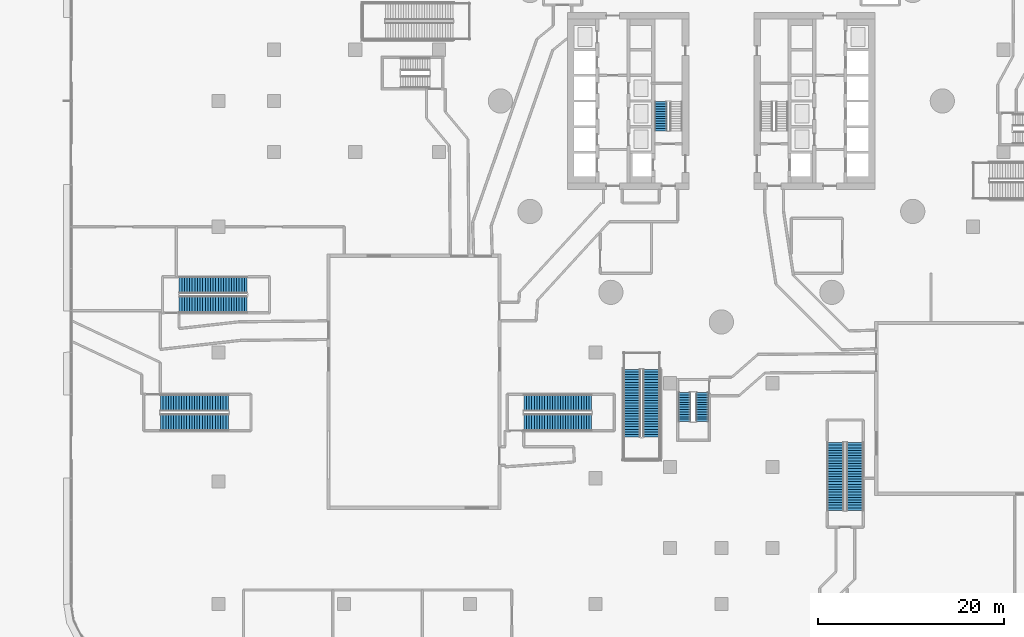
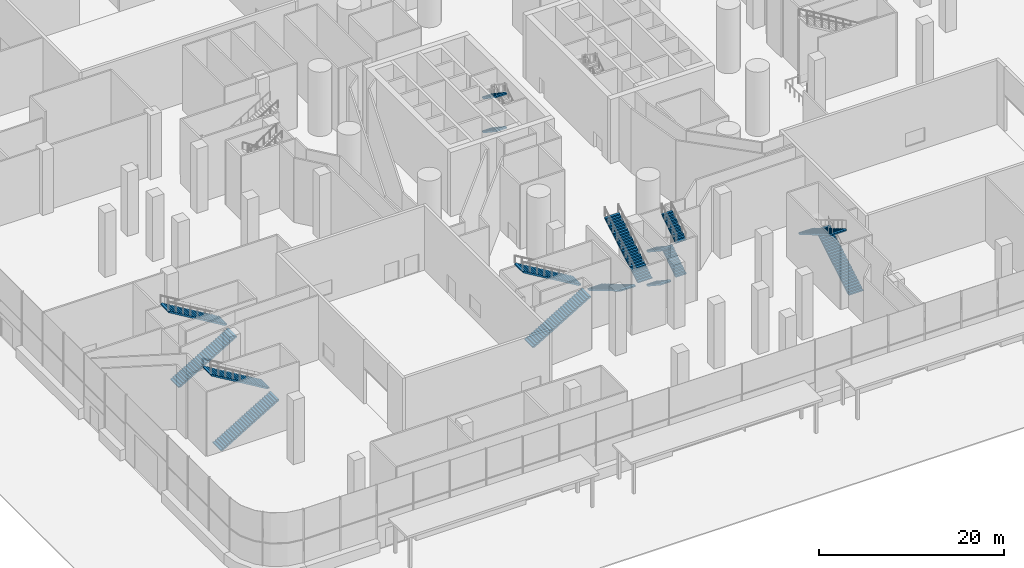
# One storey, part 34 of 54: 16 stair flights, 7 elements without a shape of their own.
"""IFC4 building model written with IfcOpenShell, lengths in metres."""

from ifc_helpers import new_model, si_unit, direction, frame, origin, place, context, subcontext, project, spatial, polyline, outline, extrude, material, type_object, element, aggregate, save


model = new_model("IFC4")

# Units and contexts
model_context = context("Model", 3, precision=1e-05, world=origin(), true_north=direction((0.0, 1.0)))
body_context = subcontext(model_context, "Body", "Model", "MODEL_VIEW")
ifc_project = project(units=[si_unit("LENGTHUNIT", "METRE"), si_unit("AREAUNIT", "SQUARE_METRE"), si_unit("VOLUMEUNIT", "CUBIC_METRE"), si_unit("PLANEANGLEUNIT", "RADIAN"), si_unit("MASSUNIT", "GRAM", prefix="KILO")], contexts=[model_context])

# Site, building, storey
site_placement = place(None, origin())
site = spatial("IfcSite", under=ifc_project, at=site_placement, CompositionType="ELEMENT")
building_placement = place(site_placement, origin())
building = spatial("IfcBuilding", under=site, at=building_placement, Name="Tamarind Cross Interchange Tower", CompositionType="ELEMENT")
storey_placement = place(building_placement, origin())
storey = spatial("IfcBuildingStorey", under=building, at=storey_placement, Name="L00", CompositionType="ELEMENT", Elevation=0.0)

# Stair, stair flights
ifc_material_1 = material(Name="Exit stair")
stair_type_1 = type_object("IfcStairType", Name="Exit stair", PredefinedType="HALF_TURN_STAIR", material=ifc_material_1)
stair_1_placement = place(storey_placement, origin())
stair_1 = element("IfcStair", 1, at=stair_1_placement, inside=storey, type_object=stair_type_1, Name="L00 exit stair ST1", PredefinedType="HALF_TURN_STAIR")
ifc_material_2 = material(Name="Exit stair flight")
stair_flight_type_1 = type_object("IfcStairFlightType", Name="Exit stair flight", PredefinedType="STRAIGHT", material=ifc_material_2)
stair_flight_1_placement = place(storey_placement, frame((-6.5, -0.080078125, 2.25), z_axis=(0.0, 0.0, 1.0), x_axis=(0.0, -1.0, 0.0)))
stair_flight_1 = element("IfcStairFlight", 2, at=stair_flight_1_placement, type_object=stair_flight_type_1, Name="ST1 flight 2", NumberOfRisers=13, NumberOfTreads=12, PredefinedType="STRAIGHT", RiserHeight=0.173076923, TreadLength=0.26, context=body_context, shape_type="SweptSolid", body=[
    extrude(outline(polyline([(0.0, 0.0), (0.0, 0.173095703125), (0.260009765625, 0.173095703125), (0.260009765625, 0.34619140625), (0.52001953125, 0.34619140625), (0.52001953125, 0.519287109375), (0.780029296875, 0.519287109375), (0.780029296875, 0.6923828125), (1.0400390625, 0.6923828125), (1.0400390625, 0.865478515625), (1.300048828125, 0.865478515625), (1.300048828125, 1.03857421875), (1.56005859375, 1.03857421875), (1.56005859375, 1.21142578125), (1.820068359375, 1.21142578125), (1.820068359375, 1.384521484375), (2.080078125, 1.384521484375), (2.080078125, 1.5576171875), (2.340087890625, 1.5576171875), (2.340087890625, 1.730712890625), (2.60009765625, 1.730712890625), (2.60009765625, 1.90380859375), (2.860107421875, 1.90380859375), (2.860107421875, 2.076904296875), (3.1201171875, 2.076904296875), (3.1201171875, 2.25), (3.1201171875, 1.896728515625), (0.2705078125, 0.0), (0.0, 0.0)])), frame((0.0, 0.64990234375, 0.0), z_axis=(0.0, -1.0, 0.0), x_axis=(1.0, 0.0, 0.0)), (0.0, 0.0, 1.0), 1.300048828125),
])
stair_flight_2_placement = place(storey_placement, frame((-6.5, -0.080078125, 6.75), z_axis=(0.0, 0.0, 1.0), x_axis=(0.0, -1.0, 0.0)))
stair_flight_2 = element("IfcStairFlight", 3, at=stair_flight_2_placement, type_object=stair_flight_type_1, Name="ST1 flight 4", NumberOfRisers=13, NumberOfTreads=12, PredefinedType="STRAIGHT", RiserHeight=0.173076923, TreadLength=0.26, context=body_context, shape_type="SweptSolid", body=[
    extrude(outline(polyline([(0.0, 0.0), (0.0, 0.173095703125), (0.260009765625, 0.173095703125), (0.260009765625, 0.34619140625), (0.52001953125, 0.34619140625), (0.52001953125, 0.519287109375), (0.780029296875, 0.519287109375), (0.780029296875, 0.6923828125), (1.0400390625, 0.6923828125), (1.0400390625, 0.865478515625), (1.300048828125, 0.865478515625), (1.300048828125, 1.03857421875), (1.56005859375, 1.03857421875), (1.56005859375, 1.21142578125), (1.820068359375, 1.21142578125), (1.820068359375, 1.384521484375), (2.080078125, 1.384521484375), (2.080078125, 1.5576171875), (2.340087890625, 1.5576171875), (2.340087890625, 1.730712890625), (2.60009765625, 1.730712890625), (2.60009765625, 1.90380859375), (2.860107421875, 1.90380859375), (2.860107421875, 2.076904296875), (3.1201171875, 2.076904296875), (3.1201171875, 2.25), (3.1201171875, 1.896728515625), (0.2705078125, 0.0), (0.0, 0.0)])), frame((0.0, 0.64990234375, 0.0), z_axis=(0.0, -1.0, 0.0), x_axis=(1.0, 0.0, 0.0)), (0.0, 0.0, 1.0), 1.300048828125),
])
aggregate(stair_1, [stair_flight_1, stair_flight_2])

stair_2_placement = place(storey_placement, origin())
stair_2 = element("IfcStair", 4, at=stair_2_placement, inside=storey, type_object=stair_type_1, Name="L00 exit stair ST6", PredefinedType="HALF_TURN_STAIR")
stair_flight_3_placement = place(storey_placement, frame((-3.949951171875, -31.300048828125, 0.0), z_axis=(0.0, 0.0, 1.0), x_axis=(0.0, -1.0, 0.0)))
stair_flight_3 = element("IfcStairFlight", 5, at=stair_flight_3_placement, type_object=stair_flight_type_1, Name="ST6 flight 1", NumberOfRisers=13, NumberOfTreads=12, PredefinedType="STRAIGHT", RiserHeight=0.173076923, TreadLength=0.26, context=body_context, shape_type="SweptSolid", body=[
    extrude(outline(polyline([(0.0, 0.0), (0.0, 0.173095703125), (0.260009765625, 0.173095703125), (0.260009765625, 0.34619140625), (0.52001953125, 0.34619140625), (0.52001953125, 0.519287109375), (0.780029296875, 0.519287109375), (0.780029296875, 0.6923828125), (1.0400390625, 0.6923828125), (1.0400390625, 0.865478515625), (1.300048828125, 0.865478515625), (1.300048828125, 1.03857421875), (1.56005859375, 1.03857421875), (1.56005859375, 1.21142578125), (1.820068359375, 1.21142578125), (1.820068359375, 1.384521484375), (2.080078125, 1.384521484375), (2.080078125, 1.5576171875), (2.340087890625, 1.5576171875), (2.340087890625, 1.730712890625), (2.60009765625, 1.730712890625), (2.60009765625, 1.90380859375), (2.860107421875, 1.90380859375), (2.860107421875, 2.076904296875), (3.1201171875, 2.076904296875), (3.1201171875, 2.25), (3.1201171875, 1.896728515625), (0.2705078125, 0.0), (0.0, 0.0)])), frame((0.0, 0.64990234375, 0.0), z_axis=(0.0, -1.0, 0.0), x_axis=(1.0, 0.0, 0.0)), (0.0, 0.0, 1.0), 1.300048828125),
])
stair_flight_4_placement = place(storey_placement, frame((-2.050048828125, -34.419921875, 2.25), z_axis=(0.0, 0.0, 1.0), x_axis=(0.0, 1.0, 0.0)))
stair_flight_4 = element("IfcStairFlight", 6, at=stair_flight_4_placement, type_object=stair_flight_type_1, Name="ST6 flight 2", NumberOfRisers=13, NumberOfTreads=12, PredefinedType="STRAIGHT", RiserHeight=0.173076923, TreadLength=0.26, context=body_context, shape_type="SweptSolid", body=[
    extrude(outline(polyline([(0.0, 0.0), (0.0, 0.173095703125), (0.260009765625, 0.173095703125), (0.260009765625, 0.34619140625), (0.52001953125, 0.34619140625), (0.52001953125, 0.519287109375), (0.780029296875, 0.519287109375), (0.780029296875, 0.6923828125), (1.0400390625, 0.6923828125), (1.0400390625, 0.865478515625), (1.300048828125, 0.865478515625), (1.300048828125, 1.03857421875), (1.56005859375, 1.03857421875), (1.56005859375, 1.21142578125), (1.820068359375, 1.21142578125), (1.820068359375, 1.384521484375), (2.080078125, 1.384521484375), (2.080078125, 1.5576171875), (2.340087890625, 1.5576171875), (2.340087890625, 1.730712890625), (2.60009765625, 1.730712890625), (2.60009765625, 1.90380859375), (2.860107421875, 1.90380859375), (2.860107421875, 2.076904296875), (3.1201171875, 2.076904296875), (3.1201171875, 2.25), (3.1201171875, 1.896728515625), (0.2705078125, 0.0), (0.0, 0.0)])), frame((0.0, 0.64990234375, 0.0), z_axis=(0.0, -1.0, 0.0), x_axis=(1.0, 0.0, 0.0)), (0.0, 0.0, 1.0), 1.300048828125),
])
stair_flight_5_placement = place(storey_placement, frame((-3.949951171875, -31.300048828125, 4.5), z_axis=(0.0, 0.0, 1.0), x_axis=(0.0, -1.0, 0.0)))
stair_flight_5 = element("IfcStairFlight", 7, at=stair_flight_5_placement, type_object=stair_flight_type_1, Name="ST6 flight 3", NumberOfRisers=13, NumberOfTreads=12, PredefinedType="STRAIGHT", RiserHeight=0.173076923, TreadLength=0.26, context=body_context, shape_type="SweptSolid", body=[
    extrude(outline(polyline([(0.0, 0.0), (0.0, 0.173095703125), (0.260009765625, 0.173095703125), (0.260009765625, 0.34619140625), (0.52001953125, 0.34619140625), (0.52001953125, 0.519287109375), (0.780029296875, 0.519287109375), (0.780029296875, 0.6923828125), (1.0400390625, 0.6923828125), (1.0400390625, 0.865478515625), (1.300048828125, 0.865478515625), (1.300048828125, 1.03857421875), (1.56005859375, 1.03857421875), (1.56005859375, 1.21142578125), (1.820068359375, 1.21142578125), (1.820068359375, 1.384521484375), (2.080078125, 1.384521484375), (2.080078125, 1.5576171875), (2.340087890625, 1.5576171875), (2.340087890625, 1.730712890625), (2.60009765625, 1.730712890625), (2.60009765625, 1.90380859375), (2.860107421875, 1.90380859375), (2.860107421875, 2.076904296875), (3.1201171875, 2.076904296875), (3.1201171875, 2.25), (3.1201171875, 1.896728515625), (0.2705078125, 0.0), (0.0, 0.0)])), frame((0.0, 0.64990234375, 0.0), z_axis=(0.0, -1.0, 0.0), x_axis=(1.0, 0.0, 0.0)), (0.0, 0.0, 1.0), 1.300048828125),
])
stair_flight_6_placement = place(storey_placement, frame((-2.050048828125, -34.419921875, 6.75), z_axis=(0.0, 0.0, 1.0), x_axis=(0.0, 1.0, 0.0)))
stair_flight_6 = element("IfcStairFlight", 8, at=stair_flight_6_placement, type_object=stair_flight_type_1, Name="ST6 flight 4", NumberOfRisers=13, NumberOfTreads=12, PredefinedType="STRAIGHT", RiserHeight=0.173076923, TreadLength=0.26, context=body_context, shape_type="SweptSolid", body=[
    extrude(outline(polyline([(0.0, 0.0), (0.0, 0.173095703125), (0.260009765625, 0.173095703125), (0.260009765625, 0.34619140625), (0.52001953125, 0.34619140625), (0.52001953125, 0.519287109375), (0.780029296875, 0.519287109375), (0.780029296875, 0.6923828125), (1.0400390625, 0.6923828125), (1.0400390625, 0.865478515625), (1.300048828125, 0.865478515625), (1.300048828125, 1.03857421875), (1.56005859375, 1.03857421875), (1.56005859375, 1.21142578125), (1.820068359375, 1.21142578125), (1.820068359375, 1.384521484375), (2.080078125, 1.384521484375), (2.080078125, 1.5576171875), (2.340087890625, 1.5576171875), (2.340087890625, 1.730712890625), (2.60009765625, 1.730712890625), (2.60009765625, 1.90380859375), (2.860107421875, 1.90380859375), (2.860107421875, 2.076904296875), (3.1201171875, 2.076904296875), (3.1201171875, 2.25), (3.1201171875, 1.896728515625), (0.2705078125, 0.0), (0.0, 0.0)])), frame((0.0, 0.64990234375, 0.0), z_axis=(0.0, -1.0, 0.0), x_axis=(1.0, 0.0, 0.0)), (0.0, 0.0, 1.0), 1.300048828125),
])
aggregate(stair_2, [stair_flight_3, stair_flight_4, stair_flight_5, stair_flight_6])

ifc_material_3 = material(Name="Public stair")
stair_type_2 = type_object("IfcStairType", Name="Public stair", PredefinedType="HALF_TURN_STAIR", material=ifc_material_3)
stair_3_placement = place(storey_placement, origin())
stair_3 = element("IfcStair", 9, at=stair_3_placement, inside=storey, type_object=stair_type_2, Name="L00 public stair PS-S", PredefinedType="HALF_TURN_STAIR")
ifc_material_4 = material(Name="Public stair flight")
stair_flight_type_2 = type_object("IfcStairFlightType", Name="Public stair flight", PredefinedType="STRAIGHT", material=ifc_material_4)
stair_flight_7_placement = place(storey_placement, frame((-9.60009765625, -28.800048828125, 0.0), z_axis=(0.0, 0.0, 1.0), x_axis=(0.0, -1.0, 0.0)))
stair_flight_7 = element("IfcStairFlight", 10, at=stair_flight_7_placement, type_object=stair_flight_type_2, Name="PS-S flight 1", NumberOfRisers=27, NumberOfTreads=26, PredefinedType="STRAIGHT", RiserHeight=0.166666667, TreadLength=0.28, context=body_context, shape_type="SweptSolid", body=[
    extrude(outline(polyline([(0.0, 0.0), (0.0, 0.166748046875), (0.280029296875, 0.166748046875), (0.280029296875, 0.333251953125), (0.56005859375, 0.333251953125), (0.56005859375, 0.5), (0.840087890625, 0.5), (0.840087890625, 0.666748046875), (1.1201171875, 0.666748046875), (1.1201171875, 0.833251953125), (1.39990234375, 0.833251953125), (1.39990234375, 1.0), (1.679931640625, 1.0), (1.679931640625, 1.166748046875), (1.9599609375, 1.166748046875), (1.9599609375, 1.333251953125), (2.239990234375, 1.333251953125), (2.239990234375, 1.5), (2.52001953125, 1.5), (2.52001953125, 1.666748046875), (2.800048828125, 1.666748046875), (2.800048828125, 1.833251953125), (3.080078125, 1.833251953125), (3.080078125, 2.0), (3.360107421875, 2.0), (3.360107421875, 2.166748046875), (3.639892578125, 2.166748046875), (3.639892578125, 2.333251953125), (3.919921875, 2.333251953125), (3.919921875, 2.5), (4.199951171875, 2.5), (4.199951171875, 2.666748046875), (4.47998046875, 2.666748046875), (4.47998046875, 2.833251953125), (4.760009765625, 2.833251953125), (4.760009765625, 3.0), (5.0400390625, 3.0), (5.0400390625, 3.166748046875), (5.320068359375, 3.166748046875), (5.320068359375, 3.333251953125), (5.60009765625, 3.333251953125), (5.60009765625, 3.5), (5.8798828125, 3.5), (5.8798828125, 3.666748046875), (6.159912109375, 3.666748046875), (6.159912109375, 3.833251953125), (6.43994140625, 3.833251953125), (6.43994140625, 4.0), (6.719970703125, 4.0), (6.719970703125, 4.166748046875), (7.0, 4.166748046875), (7.0, 4.333251953125), (7.280029296875, 4.333251953125), (7.280029296875, 4.5), (7.280029296875, 4.158935546875), (0.29296875, 0.0), (0.0, 0.0)])), frame((0.0, 0.89990234375, 0.0), z_axis=(0.0, -1.0, 0.0), x_axis=(1.0, 0.0, 0.0)), (0.0, 0.0, 1.0), 1.800048828125),
])
stair_flight_8_placement = place(storey_placement, frame((-7.5, -36.080078125, 4.5), z_axis=(0.0, 0.0, 1.0), x_axis=(0.0, 1.0, 0.0)))
stair_flight_8 = element("IfcStairFlight", 11, at=stair_flight_8_placement, type_object=stair_flight_type_2, Name="PS-S flight 2", NumberOfRisers=27, NumberOfTreads=26, PredefinedType="STRAIGHT", RiserHeight=0.166666667, TreadLength=0.28, context=body_context, shape_type="SweptSolid", body=[
    extrude(outline(polyline([(0.0, 0.0), (0.0, 0.166748046875), (0.280029296875, 0.166748046875), (0.280029296875, 0.333251953125), (0.56005859375, 0.333251953125), (0.56005859375, 0.5), (0.840087890625, 0.5), (0.840087890625, 0.666748046875), (1.1201171875, 0.666748046875), (1.1201171875, 0.833251953125), (1.39990234375, 0.833251953125), (1.39990234375, 1.0), (1.679931640625, 1.0), (1.679931640625, 1.166748046875), (1.9599609375, 1.166748046875), (1.9599609375, 1.333251953125), (2.239990234375, 1.333251953125), (2.239990234375, 1.5), (2.52001953125, 1.5), (2.52001953125, 1.666748046875), (2.800048828125, 1.666748046875), (2.800048828125, 1.833251953125), (3.080078125, 1.833251953125), (3.080078125, 2.0), (3.360107421875, 2.0), (3.360107421875, 2.166748046875), (3.639892578125, 2.166748046875), (3.639892578125, 2.333251953125), (3.919921875, 2.333251953125), (3.919921875, 2.5), (4.199951171875, 2.5), (4.199951171875, 2.666748046875), (4.47998046875, 2.666748046875), (4.47998046875, 2.833251953125), (4.760009765625, 2.833251953125), (4.760009765625, 3.0), (5.0400390625, 3.0), (5.0400390625, 3.166748046875), (5.320068359375, 3.166748046875), (5.320068359375, 3.333251953125), (5.60009765625, 3.333251953125), (5.60009765625, 3.5), (5.8798828125, 3.5), (5.8798828125, 3.666748046875), (6.159912109375, 3.666748046875), (6.159912109375, 3.833251953125), (6.43994140625, 3.833251953125), (6.43994140625, 4.0), (6.719970703125, 4.0), (6.719970703125, 4.166748046875), (7.0, 4.166748046875), (7.0, 4.333251953125), (7.280029296875, 4.333251953125), (7.280029296875, 4.5), (7.280029296875, 4.158935546875), (0.29296875, 0.0), (0.0, 0.0)])), frame((0.0, 0.89990234375, 0.0), z_axis=(0.0, -1.0, 0.0), x_axis=(1.0, 0.0, 0.0)), (0.0, 0.0, 1.0), 1.800048828125),
])
aggregate(stair_3, [stair_flight_7, stair_flight_8])

stair_4_placement = place(storey_placement, origin())
stair_4 = element("IfcStair", 12, at=stair_4_placement, inside=storey, type_object=stair_type_2, Name="L00 exit stair XS-P07", PredefinedType="HALF_TURN_STAIR")
stair_flight_9_placement = place(storey_placement, frame((-60.199951171875, -34.5, 0.0), z_axis=(0.0, 0.0, 1.0), x_axis=(1.0, 0.0, 0.0)))
stair_flight_9 = element("IfcStairFlight", 13, at=stair_flight_9_placement, type_object=stair_flight_type_2, Name="XS-P07 flight 1", NumberOfRisers=27, NumberOfTreads=26, PredefinedType="STRAIGHT", RiserHeight=0.166666667, TreadLength=0.28, context=body_context, shape_type="SweptSolid", body=[
    extrude(outline(polyline([(0.0, 0.0), (0.0, 0.166748046875), (0.280029296875, 0.166748046875), (0.280029296875, 0.333251953125), (0.56005859375, 0.333251953125), (0.56005859375, 0.5), (0.840087890625, 0.5), (0.840087890625, 0.666748046875), (1.1201171875, 0.666748046875), (1.1201171875, 0.833251953125), (1.39990234375, 0.833251953125), (1.39990234375, 1.0), (1.679931640625, 1.0), (1.679931640625, 1.166748046875), (1.9599609375, 1.166748046875), (1.9599609375, 1.333251953125), (2.239990234375, 1.333251953125), (2.239990234375, 1.5), (2.52001953125, 1.5), (2.52001953125, 1.666748046875), (2.800048828125, 1.666748046875), (2.800048828125, 1.833251953125), (3.080078125, 1.833251953125), (3.080078125, 2.0), (3.360107421875, 2.0), (3.360107421875, 2.166748046875), (3.639892578125, 2.166748046875), (3.639892578125, 2.333251953125), (3.919921875, 2.333251953125), (3.919921875, 2.5), (4.199951171875, 2.5), (4.199951171875, 2.666748046875), (4.47998046875, 2.666748046875), (4.47998046875, 2.833251953125), (4.760009765625, 2.833251953125), (4.760009765625, 3.0), (5.0400390625, 3.0), (5.0400390625, 3.166748046875), (5.320068359375, 3.166748046875), (5.320068359375, 3.333251953125), (5.60009765625, 3.333251953125), (5.60009765625, 3.5), (5.8798828125, 3.5), (5.8798828125, 3.666748046875), (6.159912109375, 3.666748046875), (6.159912109375, 3.833251953125), (6.43994140625, 3.833251953125), (6.43994140625, 4.0), (6.719970703125, 4.0), (6.719970703125, 4.166748046875), (7.0, 4.166748046875), (7.0, 4.333251953125), (7.280029296875, 4.333251953125), (7.280029296875, 4.5), (7.280029296875, 4.158935546875), (0.29296875, 0.0), (0.0, 0.0)])), frame((0.0, 0.89990234375, 0.0), z_axis=(0.0, -1.0, 0.0), x_axis=(1.0, 0.0, 0.0)), (0.0, 0.0, 1.0), 1.800048828125),
])
stair_flight_10_placement = place(storey_placement, frame((-52.919921875, -32.39990234375, 4.5), z_axis=(0.0, 0.0, 1.0), x_axis=(-1.0, 0.0, 0.0)))
stair_flight_10 = element("IfcStairFlight", 14, at=stair_flight_10_placement, type_object=stair_flight_type_2, Name="XS-P07 flight 2", NumberOfRisers=27, NumberOfTreads=26, PredefinedType="STRAIGHT", RiserHeight=0.166666667, TreadLength=0.28, context=body_context, shape_type="SweptSolid", body=[
    extrude(outline(polyline([(0.0, 0.0), (0.0, 0.166748046875), (0.280029296875, 0.166748046875), (0.280029296875, 0.333251953125), (0.56005859375, 0.333251953125), (0.56005859375, 0.5), (0.840087890625, 0.5), (0.840087890625, 0.666748046875), (1.1201171875, 0.666748046875), (1.1201171875, 0.833251953125), (1.39990234375, 0.833251953125), (1.39990234375, 1.0), (1.679931640625, 1.0), (1.679931640625, 1.166748046875), (1.9599609375, 1.166748046875), (1.9599609375, 1.333251953125), (2.239990234375, 1.333251953125), (2.239990234375, 1.5), (2.52001953125, 1.5), (2.52001953125, 1.666748046875), (2.800048828125, 1.666748046875), (2.800048828125, 1.833251953125), (3.080078125, 1.833251953125), (3.080078125, 2.0), (3.360107421875, 2.0), (3.360107421875, 2.166748046875), (3.639892578125, 2.166748046875), (3.639892578125, 2.333251953125), (3.919921875, 2.333251953125), (3.919921875, 2.5), (4.199951171875, 2.5), (4.199951171875, 2.666748046875), (4.47998046875, 2.666748046875), (4.47998046875, 2.833251953125), (4.760009765625, 2.833251953125), (4.760009765625, 3.0), (5.0400390625, 3.0), (5.0400390625, 3.166748046875), (5.320068359375, 3.166748046875), (5.320068359375, 3.333251953125), (5.60009765625, 3.333251953125), (5.60009765625, 3.5), (5.8798828125, 3.5), (5.8798828125, 3.666748046875), (6.159912109375, 3.666748046875), (6.159912109375, 3.833251953125), (6.43994140625, 3.833251953125), (6.43994140625, 4.0), (6.719970703125, 4.0), (6.719970703125, 4.166748046875), (7.0, 4.166748046875), (7.0, 4.333251953125), (7.280029296875, 4.333251953125), (7.280029296875, 4.5), (7.280029296875, 4.158935546875), (0.29296875, 0.0), (0.0, 0.0)])), frame((0.0, 0.89990234375, 0.0), z_axis=(0.0, -1.0, 0.0), x_axis=(1.0, 0.0, 0.0)), (0.0, 0.0, 1.0), 1.800048828125),
])
aggregate(stair_4, [stair_flight_9, stair_flight_10])

stair_5_placement = place(storey_placement, origin())
stair_5 = element("IfcStair", 15, at=stair_5_placement, inside=storey, type_object=stair_type_2, Name="L00 exit stair XS-P08", PredefinedType="HALF_TURN_STAIR")
stair_flight_11_placement = place(storey_placement, frame((-58.199951171875, -21.85009765625, 0.0), z_axis=(0.0, 0.0, 1.0), x_axis=(1.0, 0.0, 0.0)))
stair_flight_11 = element("IfcStairFlight", 16, at=stair_flight_11_placement, type_object=stair_flight_type_2, Name="XS-P08 flight 1", NumberOfRisers=27, NumberOfTreads=26, PredefinedType="STRAIGHT", RiserHeight=0.166666667, TreadLength=0.28, context=body_context, shape_type="SweptSolid", body=[
    extrude(outline(polyline([(0.0, 0.0), (0.0, 0.166748046875), (0.280029296875, 0.166748046875), (0.280029296875, 0.333251953125), (0.56005859375, 0.333251953125), (0.56005859375, 0.5), (0.840087890625, 0.5), (0.840087890625, 0.666748046875), (1.1201171875, 0.666748046875), (1.1201171875, 0.833251953125), (1.39990234375, 0.833251953125), (1.39990234375, 1.0), (1.679931640625, 1.0), (1.679931640625, 1.166748046875), (1.9599609375, 1.166748046875), (1.9599609375, 1.333251953125), (2.239990234375, 1.333251953125), (2.239990234375, 1.5), (2.52001953125, 1.5), (2.52001953125, 1.666748046875), (2.800048828125, 1.666748046875), (2.800048828125, 1.833251953125), (3.080078125, 1.833251953125), (3.080078125, 2.0), (3.360107421875, 2.0), (3.360107421875, 2.166748046875), (3.639892578125, 2.166748046875), (3.639892578125, 2.333251953125), (3.919921875, 2.333251953125), (3.919921875, 2.5), (4.199951171875, 2.5), (4.199951171875, 2.666748046875), (4.47998046875, 2.666748046875), (4.47998046875, 2.833251953125), (4.760009765625, 2.833251953125), (4.760009765625, 3.0), (5.0400390625, 3.0), (5.0400390625, 3.166748046875), (5.320068359375, 3.166748046875), (5.320068359375, 3.333251953125), (5.60009765625, 3.333251953125), (5.60009765625, 3.5), (5.8798828125, 3.5), (5.8798828125, 3.666748046875), (6.159912109375, 3.666748046875), (6.159912109375, 3.833251953125), (6.43994140625, 3.833251953125), (6.43994140625, 4.0), (6.719970703125, 4.0), (6.719970703125, 4.166748046875), (7.0, 4.166748046875), (7.0, 4.333251953125), (7.280029296875, 4.333251953125), (7.280029296875, 4.5), (7.280029296875, 4.158935546875), (0.29296875, 0.0), (0.0, 0.0)])), frame((0.0, 0.89990234375, 0.0), z_axis=(0.0, -1.0, 0.0), x_axis=(1.0, 0.0, 0.0)), (0.0, 0.0, 1.0), 1.800048828125),
])
stair_flight_12_placement = place(storey_placement, frame((-50.919921875, -19.75, 4.5), z_axis=(0.0, 0.0, 1.0), x_axis=(-1.0, 0.0, 0.0)))
stair_flight_12 = element("IfcStairFlight", 17, at=stair_flight_12_placement, type_object=stair_flight_type_2, Name="XS-P08 flight 2", NumberOfRisers=27, NumberOfTreads=26, PredefinedType="STRAIGHT", RiserHeight=0.166666667, TreadLength=0.28, context=body_context, shape_type="SweptSolid", body=[
    extrude(outline(polyline([(0.0, 0.0), (0.0, 0.166748046875), (0.280029296875, 0.166748046875), (0.280029296875, 0.333251953125), (0.56005859375, 0.333251953125), (0.56005859375, 0.5), (0.840087890625, 0.5), (0.840087890625, 0.666748046875), (1.1201171875, 0.666748046875), (1.1201171875, 0.833251953125), (1.39990234375, 0.833251953125), (1.39990234375, 1.0), (1.679931640625, 1.0), (1.679931640625, 1.166748046875), (1.9599609375, 1.166748046875), (1.9599609375, 1.333251953125), (2.239990234375, 1.333251953125), (2.239990234375, 1.5), (2.52001953125, 1.5), (2.52001953125, 1.666748046875), (2.800048828125, 1.666748046875), (2.800048828125, 1.833251953125), (3.080078125, 1.833251953125), (3.080078125, 2.0), (3.360107421875, 2.0), (3.360107421875, 2.166748046875), (3.639892578125, 2.166748046875), (3.639892578125, 2.333251953125), (3.919921875, 2.333251953125), (3.919921875, 2.5), (4.199951171875, 2.5), (4.199951171875, 2.666748046875), (4.47998046875, 2.666748046875), (4.47998046875, 2.833251953125), (4.760009765625, 2.833251953125), (4.760009765625, 3.0), (5.0400390625, 3.0), (5.0400390625, 3.166748046875), (5.320068359375, 3.166748046875), (5.320068359375, 3.333251953125), (5.60009765625, 3.333251953125), (5.60009765625, 3.5), (5.8798828125, 3.5), (5.8798828125, 3.666748046875), (6.159912109375, 3.666748046875), (6.159912109375, 3.833251953125), (6.43994140625, 3.833251953125), (6.43994140625, 4.0), (6.719970703125, 4.0), (6.719970703125, 4.166748046875), (7.0, 4.166748046875), (7.0, 4.333251953125), (7.280029296875, 4.333251953125), (7.280029296875, 4.5), (7.280029296875, 4.158935546875), (0.29296875, 0.0), (0.0, 0.0)])), frame((0.0, 0.89990234375, 0.0), z_axis=(0.0, -1.0, 0.0), x_axis=(1.0, 0.0, 0.0)), (0.0, 0.0, 1.0), 1.800048828125),
])
aggregate(stair_5, [stair_flight_11, stair_flight_12])

stair_6_placement = place(storey_placement, origin())
stair_6 = element("IfcStair", 18, at=stair_6_placement, inside=storey, type_object=stair_type_2, Name="L00 exit stair XS-P09", PredefinedType="HALF_TURN_STAIR")
stair_flight_13_placement = place(storey_placement, frame((-21.199951171875, -34.5, 0.0), z_axis=(0.0, 0.0, 1.0), x_axis=(1.0, 0.0, 0.0)))
stair_flight_13 = element("IfcStairFlight", 19, at=stair_flight_13_placement, type_object=stair_flight_type_2, Name="XS-P09 flight 1", NumberOfRisers=27, NumberOfTreads=26, PredefinedType="STRAIGHT", RiserHeight=0.166666667, TreadLength=0.28, context=body_context, shape_type="SweptSolid", body=[
    extrude(outline(polyline([(0.0, 0.0), (0.0, 0.166748046875), (0.280029296875, 0.166748046875), (0.280029296875, 0.333251953125), (0.56005859375, 0.333251953125), (0.56005859375, 0.5), (0.840087890625, 0.5), (0.840087890625, 0.666748046875), (1.1201171875, 0.666748046875), (1.1201171875, 0.833251953125), (1.39990234375, 0.833251953125), (1.39990234375, 1.0), (1.679931640625, 1.0), (1.679931640625, 1.166748046875), (1.9599609375, 1.166748046875), (1.9599609375, 1.333251953125), (2.239990234375, 1.333251953125), (2.239990234375, 1.5), (2.52001953125, 1.5), (2.52001953125, 1.666748046875), (2.800048828125, 1.666748046875), (2.800048828125, 1.833251953125), (3.080078125, 1.833251953125), (3.080078125, 2.0), (3.360107421875, 2.0), (3.360107421875, 2.166748046875), (3.639892578125, 2.166748046875), (3.639892578125, 2.333251953125), (3.919921875, 2.333251953125), (3.919921875, 2.5), (4.199951171875, 2.5), (4.199951171875, 2.666748046875), (4.47998046875, 2.666748046875), (4.47998046875, 2.833251953125), (4.760009765625, 2.833251953125), (4.760009765625, 3.0), (5.0400390625, 3.0), (5.0400390625, 3.166748046875), (5.320068359375, 3.166748046875), (5.320068359375, 3.333251953125), (5.60009765625, 3.333251953125), (5.60009765625, 3.5), (5.8798828125, 3.5), (5.8798828125, 3.666748046875), (6.159912109375, 3.666748046875), (6.159912109375, 3.833251953125), (6.43994140625, 3.833251953125), (6.43994140625, 4.0), (6.719970703125, 4.0), (6.719970703125, 4.166748046875), (7.0, 4.166748046875), (7.0, 4.333251953125), (7.280029296875, 4.333251953125), (7.280029296875, 4.5), (7.280029296875, 4.158935546875), (0.29296875, 0.0), (0.0, 0.0)])), frame((0.0, 0.89990234375, 0.0), z_axis=(0.0, -1.0, 0.0), x_axis=(1.0, 0.0, 0.0)), (0.0, 0.0, 1.0), 1.800048828125),
])
stair_flight_14_placement = place(storey_placement, frame((-13.919921875, -32.39990234375, 4.5), z_axis=(0.0, 0.0, 1.0), x_axis=(-1.0, 0.0, 0.0)))
stair_flight_14 = element("IfcStairFlight", 20, at=stair_flight_14_placement, type_object=stair_flight_type_2, Name="XS-P09 flight 2", NumberOfRisers=27, NumberOfTreads=26, PredefinedType="STRAIGHT", RiserHeight=0.166666667, TreadLength=0.28, context=body_context, shape_type="SweptSolid", body=[
    extrude(outline(polyline([(0.0, 0.0), (0.0, 0.166748046875), (0.280029296875, 0.166748046875), (0.280029296875, 0.333251953125), (0.56005859375, 0.333251953125), (0.56005859375, 0.5), (0.840087890625, 0.5), (0.840087890625, 0.666748046875), (1.1201171875, 0.666748046875), (1.1201171875, 0.833251953125), (1.39990234375, 0.833251953125), (1.39990234375, 1.0), (1.679931640625, 1.0), (1.679931640625, 1.166748046875), (1.9599609375, 1.166748046875), (1.9599609375, 1.333251953125), (2.239990234375, 1.333251953125), (2.239990234375, 1.5), (2.52001953125, 1.5), (2.52001953125, 1.666748046875), (2.800048828125, 1.666748046875), (2.800048828125, 1.833251953125), (3.080078125, 1.833251953125), (3.080078125, 2.0), (3.360107421875, 2.0), (3.360107421875, 2.166748046875), (3.639892578125, 2.166748046875), (3.639892578125, 2.333251953125), (3.919921875, 2.333251953125), (3.919921875, 2.5), (4.199951171875, 2.5), (4.199951171875, 2.666748046875), (4.47998046875, 2.666748046875), (4.47998046875, 2.833251953125), (4.760009765625, 2.833251953125), (4.760009765625, 3.0), (5.0400390625, 3.0), (5.0400390625, 3.166748046875), (5.320068359375, 3.166748046875), (5.320068359375, 3.333251953125), (5.60009765625, 3.333251953125), (5.60009765625, 3.5), (5.8798828125, 3.5), (5.8798828125, 3.666748046875), (6.159912109375, 3.666748046875), (6.159912109375, 3.833251953125), (6.43994140625, 3.833251953125), (6.43994140625, 4.0), (6.719970703125, 4.0), (6.719970703125, 4.166748046875), (7.0, 4.166748046875), (7.0, 4.333251953125), (7.280029296875, 4.333251953125), (7.280029296875, 4.5), (7.280029296875, 4.158935546875), (0.29296875, 0.0), (0.0, 0.0)])), frame((0.0, 0.89990234375, 0.0), z_axis=(0.0, -1.0, 0.0), x_axis=(1.0, 0.0, 0.0)), (0.0, 0.0, 1.0), 1.800048828125),
])
aggregate(stair_6, [stair_flight_13, stair_flight_14])

stair_7_placement = place(storey_placement, origin())
stair_7 = element("IfcStair", 21, at=stair_7_placement, inside=storey, type_object=stair_type_2, Name="L00 exit stair XS-P12", PredefinedType="HALF_TURN_STAIR")
stair_flight_15_placement = place(storey_placement, frame((14.35009765625, -43.949951171875, 0.0), z_axis=(0.0, 0.0, 1.0), x_axis=(0.0, 1.0, 0.0)))
stair_flight_15 = element("IfcStairFlight", 22, at=stair_flight_15_placement, type_object=stair_flight_type_2, Name="XS-P12 flight 1", NumberOfRisers=27, NumberOfTreads=26, PredefinedType="STRAIGHT", RiserHeight=0.166666667, TreadLength=0.28, context=body_context, shape_type="SweptSolid", body=[
    extrude(outline(polyline([(0.0, 0.0), (0.0, 0.166748046875), (0.280029296875, 0.166748046875), (0.280029296875, 0.333251953125), (0.56005859375, 0.333251953125), (0.56005859375, 0.5), (0.840087890625, 0.5), (0.840087890625, 0.666748046875), (1.1201171875, 0.666748046875), (1.1201171875, 0.833251953125), (1.39990234375, 0.833251953125), (1.39990234375, 1.0), (1.679931640625, 1.0), (1.679931640625, 1.166748046875), (1.9599609375, 1.166748046875), (1.9599609375, 1.333251953125), (2.239990234375, 1.333251953125), (2.239990234375, 1.5), (2.52001953125, 1.5), (2.52001953125, 1.666748046875), (2.800048828125, 1.666748046875), (2.800048828125, 1.833251953125), (3.080078125, 1.833251953125), (3.080078125, 2.0), (3.360107421875, 2.0), (3.360107421875, 2.166748046875), (3.639892578125, 2.166748046875), (3.639892578125, 2.333251953125), (3.919921875, 2.333251953125), (3.919921875, 2.5), (4.199951171875, 2.5), (4.199951171875, 2.666748046875), (4.47998046875, 2.666748046875), (4.47998046875, 2.833251953125), (4.760009765625, 2.833251953125), (4.760009765625, 3.0), (5.0400390625, 3.0), (5.0400390625, 3.166748046875), (5.320068359375, 3.166748046875), (5.320068359375, 3.333251953125), (5.60009765625, 3.333251953125), (5.60009765625, 3.5), (5.8798828125, 3.5), (5.8798828125, 3.666748046875), (6.159912109375, 3.666748046875), (6.159912109375, 3.833251953125), (6.43994140625, 3.833251953125), (6.43994140625, 4.0), (6.719970703125, 4.0), (6.719970703125, 4.166748046875), (7.0, 4.166748046875), (7.0, 4.333251953125), (7.280029296875, 4.333251953125), (7.280029296875, 4.5), (7.280029296875, 4.158935546875), (0.29296875, 0.0), (0.0, 0.0)])), frame((0.0, 0.89990234375, 0.0), z_axis=(0.0, -1.0, 0.0), x_axis=(1.0, 0.0, 0.0)), (0.0, 0.0, 1.0), 1.800048828125),
])
stair_flight_16_placement = place(storey_placement, frame((12.25, -36.669921875, 4.5), z_axis=(0.0, 0.0, 1.0), x_axis=(0.0, -1.0, 0.0)))
stair_flight_16 = element("IfcStairFlight", 23, at=stair_flight_16_placement, type_object=stair_flight_type_2, Name="XS-P12 flight 2", NumberOfRisers=27, NumberOfTreads=26, PredefinedType="STRAIGHT", RiserHeight=0.166666667, TreadLength=0.28, context=body_context, shape_type="SweptSolid", body=[
    extrude(outline(polyline([(0.0, 0.0), (0.0, 0.166748046875), (0.280029296875, 0.166748046875), (0.280029296875, 0.333251953125), (0.56005859375, 0.333251953125), (0.56005859375, 0.5), (0.840087890625, 0.5), (0.840087890625, 0.666748046875), (1.1201171875, 0.666748046875), (1.1201171875, 0.833251953125), (1.39990234375, 0.833251953125), (1.39990234375, 1.0), (1.679931640625, 1.0), (1.679931640625, 1.166748046875), (1.9599609375, 1.166748046875), (1.9599609375, 1.333251953125), (2.239990234375, 1.333251953125), (2.239990234375, 1.5), (2.52001953125, 1.5), (2.52001953125, 1.666748046875), (2.800048828125, 1.666748046875), (2.800048828125, 1.833251953125), (3.080078125, 1.833251953125), (3.080078125, 2.0), (3.360107421875, 2.0), (3.360107421875, 2.166748046875), (3.639892578125, 2.166748046875), (3.639892578125, 2.333251953125), (3.919921875, 2.333251953125), (3.919921875, 2.5), (4.199951171875, 2.5), (4.199951171875, 2.666748046875), (4.47998046875, 2.666748046875), (4.47998046875, 2.833251953125), (4.760009765625, 2.833251953125), (4.760009765625, 3.0), (5.0400390625, 3.0), (5.0400390625, 3.166748046875), (5.320068359375, 3.166748046875), (5.320068359375, 3.333251953125), (5.60009765625, 3.333251953125), (5.60009765625, 3.5), (5.8798828125, 3.5), (5.8798828125, 3.666748046875), (6.159912109375, 3.666748046875), (6.159912109375, 3.833251953125), (6.43994140625, 3.833251953125), (6.43994140625, 4.0), (6.719970703125, 4.0), (6.719970703125, 4.166748046875), (7.0, 4.166748046875), (7.0, 4.333251953125), (7.280029296875, 4.333251953125), (7.280029296875, 4.5), (7.280029296875, 4.158935546875), (0.29296875, 0.0), (0.0, 0.0)])), frame((0.0, 0.89990234375, 0.0), z_axis=(0.0, -1.0, 0.0), x_axis=(1.0, 0.0, 0.0)), (0.0, 0.0, 1.0), 1.800048828125),
])
aggregate(stair_7, [stair_flight_15, stair_flight_16])

save(model, "model.ifc")
